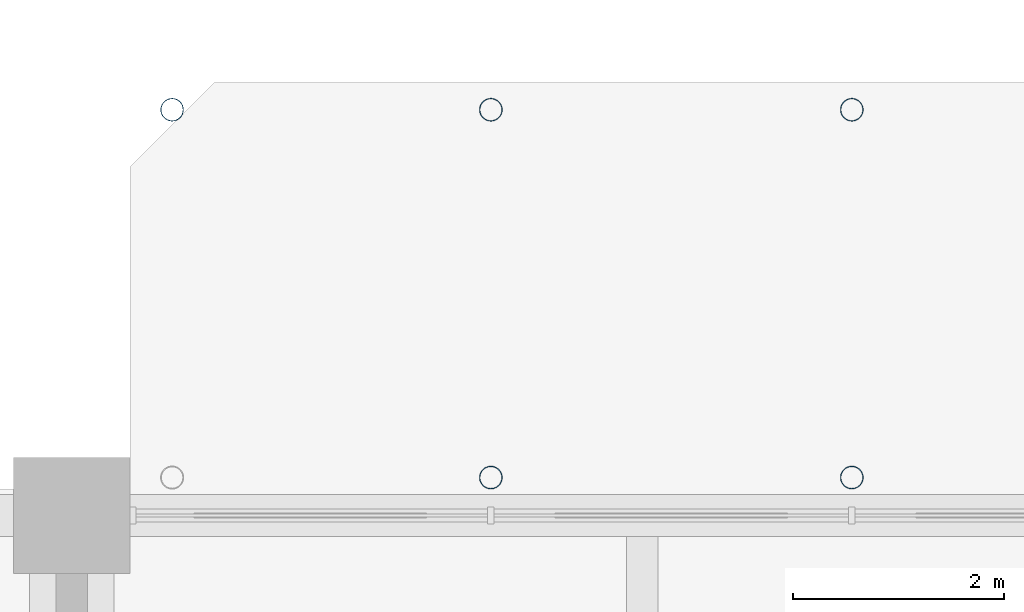
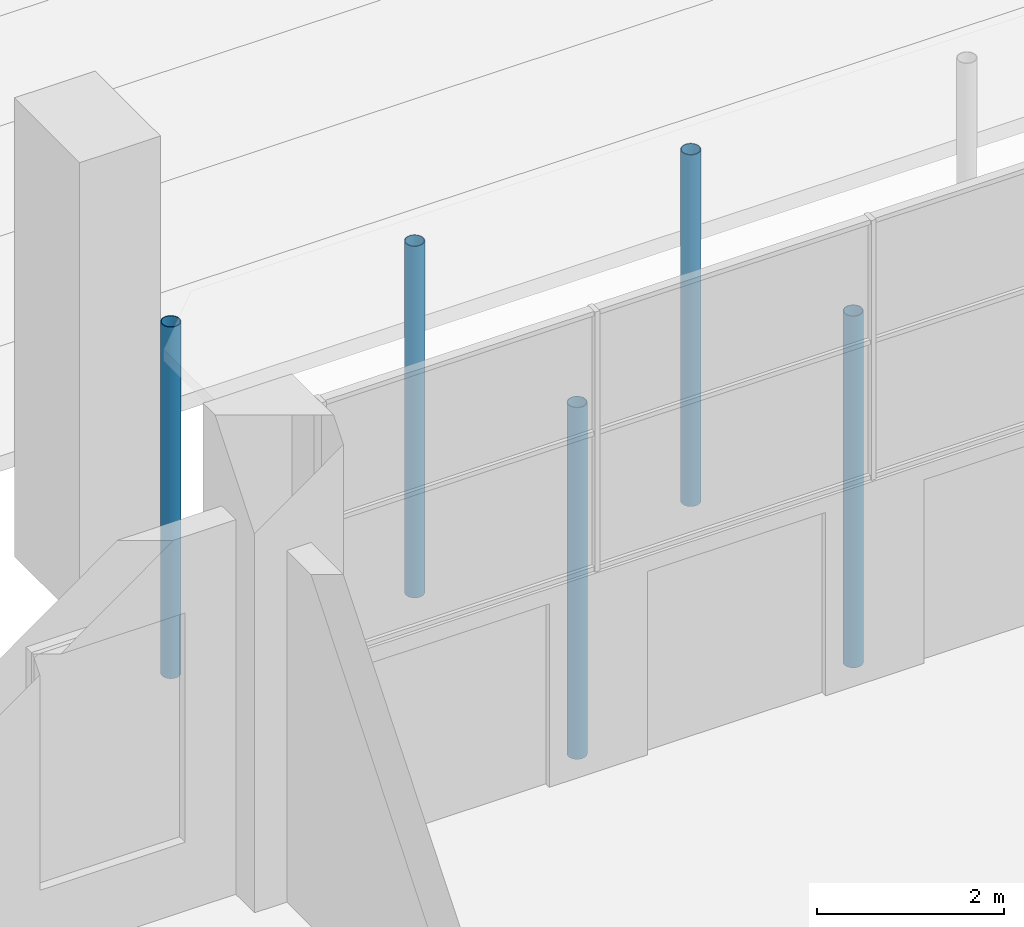
# One storey, part 35 of 71: 5 members.
"""IFC4 building model written with IfcOpenShell, lengths in metres."""

from ifc_helpers import new_model, si_unit, direction, frame, origin, origin_2d, place, context, subcontext, project, spatial, hollow_circle, extrude, material, material_profile, profile_set, type_object, element, save


model = new_model("IFC4")

# Units and contexts
model_context = context("Model", 3, precision=1e-05, world=origin(), true_north=direction((0.0, 1.0)))
body_context = subcontext(model_context, "Body", "Model", "MODEL_VIEW")
ifc_project = project(units=[si_unit("LENGTHUNIT", "METRE"), si_unit("AREAUNIT", "SQUARE_METRE"), si_unit("VOLUMEUNIT", "CUBIC_METRE"), si_unit("PLANEANGLEUNIT", "RADIAN"), si_unit("MASSUNIT", "GRAM", prefix="KILO")], contexts=[model_context])

# Site, building, storey
site_placement = place(None, origin())
site = spatial("IfcSite", under=ifc_project, at=site_placement, CompositionType="ELEMENT")
building_placement = place(site_placement, origin())
building = spatial("IfcBuilding", under=site, at=building_placement, Name="Basin Gate Institute", CompositionType="ELEMENT")
storey_placement = place(building_placement, origin())
storey = spatial("IfcBuildingStorey", under=building, at=storey_placement, Name="L00", CompositionType="ELEMENT", Elevation=0.0)

# Members
ifc_material = material(Name="Structural steel SN490", Category="steel")
ifc_material_profile = material_profile(ifc_material, hollow_circle(Radius=0.109619140625, WallThickness=0.008056640625, at=origin_2d()), Name="CHS219x8")
ifc_profile_set = profile_set([ifc_material_profile], Name="Structural steel SN490")
member_type = type_object("IfcMemberType", Name="Canopy post TD3", PredefinedType="POST", material=ifc_profile_set)
for number, where, z_axis, x_axis, name in (
    (1, (83.166748046875, 100.259521484375, -0.050048828125), (0.0, 0.0, 1.0), (1.0, 0.0, 0.0), "Canopy post north 2"),
    (2, (86.583251953125, 100.259521484375, -0.050048828125), (0.0, 0.0, 1.0), (1.0, 0.0, 0.0), "Canopy post north 3"),
    (3, (80.14990234375, 103.740478515625, -0.050048828125), (0.0, 0.0, 1.0), (1.0, 0.0, 0.0), "Canopy post north 8"),
    (4, (83.166748046875, 103.740478515625, -0.050048828125), (0.0, 0.0, 1.0), (1.0, 0.0, 0.0), "Canopy post north 9"),
    (5, (86.583251953125, 103.740478515625, -0.050048828125), (0.0, 0.0, 1.0), (1.0, 0.0, 0.0), "Canopy post north 10"),
):
    element("IfcMember", number, at=place(storey_placement, frame(where, z_axis=z_axis, x_axis=x_axis)), inside=storey, type_object=member_type, material=ifc_profile_set, Name=name, PredefinedType="POST", context=body_context, shape_type="SweptSolid", body=[
        extrude(hollow_circle(Radius=0.109619140625, WallThickness=0.008056640625, at=origin_2d()), origin(), (0.0, 0.0, 1.0), 4.60009765625),
    ])

save(model, "model.ifc")
